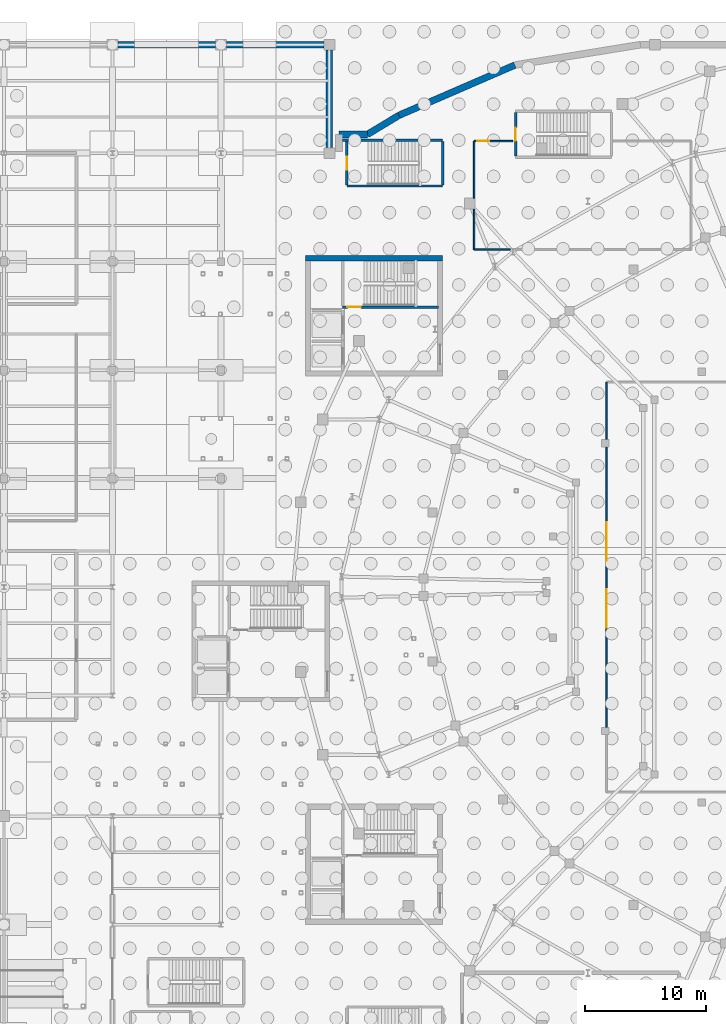
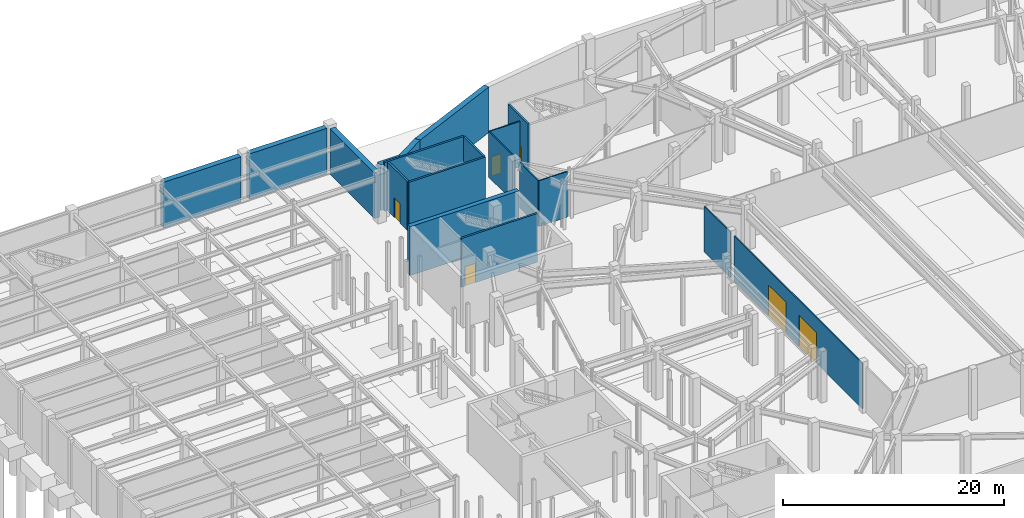
# One storey, part 45 of 56: 19 walls, 6 doors, 6 openings.
"""IFC4 building model written with IfcOpenShell, lengths in metres."""

from ifc_helpers import new_model, si_unit, direction, frame, frame_2d, origin, place, context, subcontext, project, spatial, rectangle, extrude, material, layer, layer_set, type_object, element, fill, save


model = new_model("IFC4")

# Units and contexts
model_context = context("Model", 3, precision=1e-05, world=origin(), true_north=direction((0.0, 1.0)))
body_context = subcontext(model_context, "Body", "Model", "MODEL_VIEW")
ifc_project = project(units=[si_unit("LENGTHUNIT", "METRE"), si_unit("AREAUNIT", "SQUARE_METRE"), si_unit("VOLUMEUNIT", "CUBIC_METRE"), si_unit("PLANEANGLEUNIT", "RADIAN"), si_unit("MASSUNIT", "GRAM", prefix="KILO")], contexts=[model_context])

# Site, building, storey
site_placement = place(None, origin())
site = spatial("IfcSite", under=ifc_project, at=site_placement, CompositionType="ELEMENT")
building_placement = place(site_placement, origin())
building = spatial("IfcBuilding", under=site, at=building_placement, Name="Glasvene Arena", CompositionType="ELEMENT")
storey_placement = place(building_placement, frame((0.0, 0.0, -5.39990234375)))
storey = spatial("IfcBuildingStorey", under=building, at=storey_placement, Name="B1", CompositionType="ELEMENT", Elevation=-5.39990234375)

# Wall
ifc_material_1 = material(Name="Concrete C40/50", Category="concrete")
ifc_layer_1 = layer(ifc_material_1, 0.449951171875)
ifc_layer_set_1 = layer_set([ifc_layer_1], Name="Concrete C40/50")
wall_type_1 = type_object("IfcWallType", Name="WL-CORE-450", PredefinedType="SHEAR", material=ifc_layer_set_1)
wall_1_placement = place(storey_placement, frame((43.0, 100.27490234375, 0.0), z_axis=(0.0, 0.0, 1.0), x_axis=(1.0, 0.0, 0.0)))
element("IfcWall", 1, at=wall_1_placement, inside=storey, type_object=wall_type_1, Name="Core C1 North-West shear wall N B1", PredefinedType="SHEAR", context=body_context, shape_type="SweptSolid", body=[
    extrude(rectangle(XDim=11.39990234375, YDim=0.449951171875, at=frame_2d((5.699951171875, 0.0))), origin(), (0.0, 0.0, 1.0), 5.39990234375),
])

# Wall, openings, doors
ifc_material_2 = material(Name="Lightweight gypsum metal-stud partition")
ifc_layer_2 = layer(ifc_material_2, 0.1201171875)
ifc_layer_set_2 = layer_set([ifc_layer_2], Name="Lightweight gypsum metal-stud partition")
wall_type_2 = type_object("IfcWallType", Name="WL-PART-120", PredefinedType="PARTITIONING", material=ifc_layer_set_2)
wall_2_placement = place(storey_placement, frame((68.0, 61.386962890625, 0.0), z_axis=(0.0, 0.0, 1.0), x_axis=(0.0, 1.0, 0.0)))
wall_2 = element("IfcWall", 2, at=wall_2_placement, inside=storey, type_object=wall_type_2, Name="Interior partition wall IW-B1-0007 (Event Floor Marshalling Hall)", PredefinedType="PARTITIONING", context=body_context, shape_type="SweptSolid", body=[
    extrude(rectangle(XDim=23.22607421875, YDim=0.1201171875, at=frame_2d((11.613037109375, 0.0))), origin(), (0.0, 0.0, 1.0), 5.039794921875),
])
opening_1_placement = place(wall_2_placement, frame((13.802978515625, 0.0, 0.0)))
opening_1 = element("IfcOpeningElement", 3, at=opening_1_placement, cuts=wall_2, Name="Opening D-11", PredefinedType="OPENING", context=body_context, shape_type="SweptSolid", body=[
    extrude(rectangle(XDim=3.199951171875, YDim=3.39990234375, at=frame_2d((1.60009765625, 1.699951171875))), frame((0.0, 0.070068359375, 0.0), z_axis=(0.0, -1.0, 0.0), x_axis=(1.0, 0.0, 0.0)), (0.0, 0.0, 1.0), 0.14013671875),
])
opening_2_placement = place(wall_2_placement, frame((8.2451171875, 0.0, 0.0)))
opening_2 = element("IfcOpeningElement", 4, at=opening_2_placement, cuts=wall_2, Name="Opening D-11", PredefinedType="OPENING", context=body_context, shape_type="SweptSolid", body=[
    extrude(rectangle(XDim=3.199951171875, YDim=3.39990234375, at=frame_2d((1.60009765625, 1.699951171875))), frame((0.0, 0.070068359375, 0.0), z_axis=(0.0, -1.0, 0.0), x_axis=(1.0, 0.0, 0.0)), (0.0, 0.0, 1.0), 0.14013671875),
])
ifc_material_3 = material(Name="Galvanised acoustic steel shutter", Category="steel")
door_type_1 = type_object("IfcDoorType", Name="DR-MARSH-3200", OperationType="ROLLINGUP", PredefinedType="GATE", material=ifc_material_3)
door_1_placement = place(opening_1_placement, origin())
door_1 = element("IfcDoor", 5, at=door_1_placement, inside=storey, type_object=door_type_1, Name="Interior door DR-MARSH-3200 (Event Floor Marshalling Hall)", OperationType="ROLLINGUP", OverallHeight=3.39990234375, OverallWidth=3.199951171875, PredefinedType="GATE", context=body_context, shape_type="SweptSolid", body=[
    extrude(rectangle(XDim=3.199951171875, YDim=3.39990234375, at=frame_2d((1.60009765625, 1.699951171875))), frame((0.0, 0.02490234375, 0.0), z_axis=(0.0, -1.0, 0.0), x_axis=(1.0, 0.0, 0.0)), (0.0, 0.0, 1.0), 0.050048828125),
])
fill(opening_1, door_1)
door_2_placement = place(opening_2_placement, origin())
door_2 = element("IfcDoor", 6, at=door_2_placement, inside=storey, type_object=door_type_1, Name="Interior door DR-MARSH-3200 (Event Floor Marshalling Hall)", OperationType="ROLLINGUP", OverallHeight=3.39990234375, OverallWidth=3.199951171875, PredefinedType="GATE", context=body_context, shape_type="SweptSolid", body=[
    extrude(rectangle(XDim=3.199951171875, YDim=3.39990234375, at=frame_2d((1.60009765625, 1.699951171875))), frame((0.0, 0.02490234375, 0.0), z_axis=(0.0, -1.0, 0.0), x_axis=(1.0, 0.0, 0.0)), (0.0, 0.0, 1.0), 0.050048828125),
])
fill(opening_2, door_2)

# Walls
wall_3_placement = place(storey_placement, frame((68.0, 85.276611328125, 0.0), z_axis=(0.0, 0.0, 1.0), x_axis=(0.0, 1.0, 0.0)))
element("IfcWall", 7, at=wall_3_placement, inside=storey, type_object=wall_type_2, Name="Interior partition wall IW-B1-0008 (Event Floor Marshalling Hall)", PredefinedType="PARTITIONING", context=body_context, shape_type="SweptSolid", body=[
    extrude(rectangle(XDim=4.723388671875, YDim=0.1201171875, at=frame_2d((2.36181640625, 0.0))), origin(), (0.0, 0.0, 1.0), 5.039794921875),
])
wall_4_placement = place(storey_placement, frame((59.9951171875, 101.0, 0.0), z_axis=(0.0, 0.0, 1.0), x_axis=(-1.0, 0.0, 0.0)))
element("IfcWall", 8, at=wall_4_placement, inside=storey, type_object=wall_type_2, Name="Interior partition wall IW-B1-0028 (Match Officials Changing Suite)", PredefinedType="PARTITIONING", context=body_context, shape_type="SweptSolid", body=[
    extrude(rectangle(XDim=2.9951171875, YDim=0.1201171875, at=frame_2d((1.49755859375, 0.0))), origin(), (0.0, 0.0, 1.0), 5.039794921875),
])
wall_5_placement = place(storey_placement, frame((57.0, 101.0, 0.0), z_axis=(0.0, 0.0, 1.0), x_axis=(0.0, 1.0, 0.0)))
element("IfcWall", 9, at=wall_5_placement, inside=storey, type_object=wall_type_2, Name="Interior partition wall IW-B1-0029 (Match Officials Changing Suite)", PredefinedType="PARTITIONING", context=body_context, shape_type="SweptSolid", body=[
    extrude(rectangle(XDim=3.36572265625, YDim=0.1201171875, at=frame_2d((1.682861328125, 0.0))), origin(), (0.0, 0.0, 1.0), 5.039794921875),
])
wall_6_placement = place(storey_placement, frame((57.0, 105.273681640625, 0.0), z_axis=(0.0, 0.0, 1.0), x_axis=(0.0, 1.0, 0.0)))
element("IfcWall", 10, at=wall_6_placement, inside=storey, type_object=wall_type_2, Name="Interior partition wall IW-B1-0030 (Match Officials Changing Suite)", PredefinedType="PARTITIONING", context=body_context, shape_type="SweptSolid", body=[
    extrude(rectangle(XDim=4.726318359375, YDim=0.1201171875, at=frame_2d((2.36328125, 0.0))), origin(), (0.0, 0.0, 1.0), 5.039794921875),
])

# Wall, opening, door
wall_7_placement = place(storey_placement, frame((57.0, 110.0, 0.0), z_axis=(0.0, 0.0, 1.0), x_axis=(1.0, 0.0, 0.0)))
wall_7 = element("IfcWall", 11, at=wall_7_placement, inside=storey, type_object=wall_type_2, Name="Interior partition wall IW-B1-0031 (Match Officials Changing Suite)", PredefinedType="PARTITIONING", context=body_context, shape_type="SweptSolid", body=[
    extrude(rectangle(XDim=3.199951171875, YDim=0.1201171875, at=frame_2d((1.60009765625, 0.0))), origin(), (0.0, 0.0, 1.0), 5.039794921875),
])
opening_3_placement = place(wall_7_placement, frame((0.25, 0.0, 0.0)))
opening_3 = element("IfcOpeningElement", 12, at=opening_3_placement, cuts=wall_7, Name="Opening D-06", PredefinedType="OPENING", context=body_context, shape_type="SweptSolid", body=[
    extrude(rectangle(XDim=1.0, YDim=2.14990234375, at=frame_2d((0.5, 1.074951171875))), frame((0.0, 0.070068359375, 0.0), z_axis=(0.0, -1.0, 0.0), x_axis=(1.0, 0.0, 0.0)), (0.0, 0.0, 1.0), 0.14013671875),
])
ifc_material_4 = material(Name="European oak fire-resisting timber", Category="wood")
door_type_2 = type_object("IfcDoorType", Name="DR-FD30-1000", OperationType="NOTDEFINED", PredefinedType="DOOR", material=ifc_material_4)
door_3_placement = place(opening_3_placement, origin())
door_3 = element("IfcDoor", 13, at=door_3_placement, inside=storey, type_object=door_type_2, Name="Interior door DR-FD30-1000 (Match Officials Changing Suite)", OperationType="SINGLE_SWING_RIGHT", OverallHeight=2.14990234375, OverallWidth=1.0, PredefinedType="DOOR", context=body_context, shape_type="SweptSolid", body=[
    extrude(rectangle(XDim=1.0, YDim=2.14990234375, at=frame_2d((0.5, 1.074951171875))), frame((0.0, 0.02490234375, 0.0), z_axis=(0.0, -1.0, 0.0), x_axis=(1.0, 0.0, 0.0)), (0.0, 0.0, 1.0), 0.050048828125),
])
fill(opening_3, door_3)

# Walls
ifc_layer_3 = layer(ifc_material_1, 0.550048828125)
ifc_layer_set_3 = layer_set([ifc_layer_3], Name="Concrete C40/50")
wall_type_3 = type_object("IfcWallType", Name="WL-RET-550", PredefinedType="SOLIDWALL", material=ifc_layer_set_3)
for number, where, z_axis, x_axis, name in (
    (14, (27.451904296875, 118.0, 0.0), (0.0, 0.0, 1.0), (1.0, 0.0, 0.0), "Basement retaining wall B1-011"),
    (15, (36.451904296875, 118.0, 0.0), (0.0, 0.0, 1.0), (1.0, 0.0, 0.0), "Basement retaining wall B1-012"),
    (16, (45.0, 117.548095703125, 0.0), (0.0, 0.0, 1.0), (0.0, -1.0, 0.0), "Basement retaining wall B1-013"),
):
    element("IfcWall", number, at=place(storey_placement, frame(where, z_axis=z_axis, x_axis=x_axis)), inside=storey, type_object=wall_type_3, Name=name, PredefinedType="SOLIDWALL", context=body_context, shape_type="SweptSolid", body=[
        extrude(rectangle(XDim=8.09619140625, YDim=0.550048828125, at=frame_2d((4.048095703125, 0.0))), origin(), (0.0, 0.0, 1.0), 5.039794921875),
    ])
wall_8_placement = place(storey_placement, frame((45.800048828125, 110.550048828125, 0.0), z_axis=(0.0, 0.0, 1.0), x_axis=(1.0, 0.0, 0.0)))
element("IfcWall", 17, at=wall_8_placement, inside=storey, type_object=wall_type_3, Name="Basement retaining wall B1-015", PredefinedType="SOLIDWALL", context=body_context, shape_type="SweptSolid", body=[
    extrude(rectangle(XDim=2.339599609375, YDim=0.550048828125, at=frame_2d((1.169921875, 0.0))), origin(), (0.0, 0.0, 1.0), 5.039794921875),
])
wall_9_placement = place(storey_placement, frame((48.1396484375, 110.550048828125, 0.0), z_axis=(0.0, 0.0, 1.0), x_axis=(0.855818752803, 0.517275808782, 0.0)))
element("IfcWall", 18, at=wall_9_placement, inside=storey, type_object=wall_type_3, Name="Basement retaining wall B1-016", PredefinedType="SOLIDWALL", context=body_context, shape_type="SweptSolid", body=[
    extrude(rectangle(XDim=3.070556640625, YDim=0.550048828125, at=frame_2d((1.53515625, 0.0))), origin(), (0.0, 0.0, 1.0), 5.039794921875),
])
wall_10_placement = place(storey_placement, frame((50.767578125, 112.138427734375, 0.0), z_axis=(0.0, 0.0, 1.0), x_axis=(0.917436013805, 0.397883350461, 0.0)))
element("IfcWall", 19, at=wall_10_placement, inside=storey, type_object=wall_type_3, Name="Basement retaining wall B1-017", PredefinedType="SOLIDWALL", context=body_context, shape_type="SweptSolid", body=[
    extrude(rectangle(XDim=10.478515625, YDim=0.550048828125, at=frame_2d((5.2392578125, 0.0))), origin(), (0.0, 0.0, 1.0), 5.039794921875),
])

# Wall, opening, door
ifc_layer_4 = layer(ifc_material_1, 0.199951171875)
ifc_layer_set_4 = layer_set([ifc_layer_4], Name="Concrete C40/50")
wall_type_4 = type_object("IfcWallType", Name="WL-SHAFT-200", PredefinedType="SHEAR", material=ifc_layer_set_4)
wall_11_placement = place(storey_placement, frame((46.10009765625, 96.22998046875, 0.0), z_axis=(0.0, 0.0, 1.0), x_axis=(1.0, 0.0, 0.0)))
wall_11 = element("IfcWall", 20, at=wall_11_placement, inside=storey, type_object=wall_type_4, Name="Escape stair shaft wall ST-01 B1 S", PredefinedType="SHEAR", context=body_context, shape_type="SweptSolid", body=[
    extrude(rectangle(XDim=7.949951171875, YDim=0.199951171875, at=frame_2d((3.97509765625, 0.0))), origin(), (0.0, 0.0, 1.0), 5.39990234375),
])
opening_4_placement = place(wall_11_placement, frame((0.39990234375, 0.0, 0.0)))
opening_4 = element("IfcOpeningElement", 21, at=opening_4_placement, cuts=wall_11, Name="Opening D-04", PredefinedType="OPENING", context=body_context, shape_type="SweptSolid", body=[
    extrude(rectangle(XDim=1.10009765625, YDim=2.14990234375, at=frame_2d((0.550048828125, 1.074951171875))), frame((0.0, 0.10986328125, 0.0), z_axis=(0.0, -1.0, 0.0), x_axis=(1.0, 0.0, 0.0)), (0.0, 0.0, 1.0), 0.219970703125),
])
ifc_material_5 = material(Name="Painted fire-resisting steel", Category="steel")
door_type_3 = type_object("IfcDoorType", Name="DR-FD60-1100", OperationType="NOTDEFINED", PredefinedType="DOOR", material=ifc_material_5)
door_4_placement = place(opening_4_placement, frame((1.10009765625, 0.0, 0.0), z_axis=(0.0, 0.0, 1.0), x_axis=(-1.0, 0.0, 0.0)))
door_4 = element("IfcDoor", 22, at=door_4_placement, inside=storey, type_object=door_type_3, Name="Protected escape stair door ST-01 B1", OperationType="SINGLE_SWING_RIGHT", OverallHeight=2.14990234375, OverallWidth=1.10009765625, PredefinedType="DOOR", context=body_context, shape_type="SweptSolid", body=[
    extrude(rectangle(XDim=1.10009765625, YDim=2.14990234375, at=frame_2d((0.550048828125, 1.074951171875))), frame((0.0, 0.02490234375, 0.0), z_axis=(0.0, -1.0, 0.0), x_axis=(1.0, 0.0, 0.0)), (0.0, 0.0, 1.0), 0.050048828125),
])
fill(opening_4, door_4)

wall_12_placement = place(storey_placement, frame((60.449951171875, 108.781982421875, 0.0), z_axis=(0.0, 0.0, 1.0), x_axis=(0.0, 1.0, 0.0)))
wall_12 = element("IfcWall", 23, at=wall_12_placement, inside=storey, type_object=wall_type_4, Name="Escape stair shaft wall ST-10 B1 W", PredefinedType="SHEAR", context=body_context, shape_type="SweptSolid", body=[
    extrude(rectangle(XDim=3.5859375, YDim=0.199951171875, at=frame_2d((1.79296875, 0.0))), origin(), (0.0, 0.0, 1.0), 5.39990234375),
])
opening_5_placement = place(wall_12_placement, frame((1.242919921875, 0.0, 0.0)))
opening_5 = element("IfcOpeningElement", 24, at=opening_5_placement, cuts=wall_12, Name="Opening D-04", PredefinedType="OPENING", context=body_context, shape_type="SweptSolid", body=[
    extrude(rectangle(XDim=1.10009765625, YDim=2.14990234375, at=frame_2d((0.550048828125, 1.074951171875))), frame((0.0, 0.10986328125, 0.0), z_axis=(0.0, -1.0, 0.0), x_axis=(1.0, 0.0, 0.0)), (0.0, 0.0, 1.0), 0.219970703125),
])
door_5_placement = place(opening_5_placement, frame((1.10009765625, 0.0, 0.0), z_axis=(0.0, 0.0, 1.0), x_axis=(-1.0, 0.0, 0.0)))
door_5 = element("IfcDoor", 25, at=door_5_placement, inside=storey, type_object=door_type_3, Name="Protected escape stair door ST-10 B1", OperationType="SINGLE_SWING_RIGHT", OverallHeight=2.14990234375, OverallWidth=1.10009765625, PredefinedType="DOOR", context=body_context, shape_type="SweptSolid", body=[
    extrude(rectangle(XDim=1.10009765625, YDim=2.14990234375, at=frame_2d((0.550048828125, 1.074951171875))), frame((0.0, 0.02490234375, 0.0), z_axis=(0.0, -1.0, 0.0), x_axis=(1.0, 0.0, 0.0)), (0.0, 0.0, 1.0), 0.050048828125),
])
fill(opening_5, door_5)

# Wall
wall_13_placement = place(storey_placement, frame((46.449951171875, 106.280029296875, 0.0), z_axis=(0.0, 0.0, 1.0), x_axis=(1.0, 0.0, 0.0)))
element("IfcWall", 26, at=wall_13_placement, inside=storey, type_object=wall_type_4, Name="Escape stair shaft wall ST-12 B1 S", PredefinedType="SHEAR", context=body_context, shape_type="SweptSolid", body=[
    extrude(rectangle(XDim=7.949951171875, YDim=0.199951171875, at=frame_2d((3.97509765625, 0.0))), origin(), (0.0, 0.0, 1.0), 5.39990234375),
])

# Wall, opening, door
wall_14_placement = place(storey_placement, frame((46.449951171875, 106.382080078125, 0.0), z_axis=(0.0, 0.0, 1.0), x_axis=(0.0, 1.0, 0.0)))
wall_14 = element("IfcWall", 27, at=wall_14_placement, inside=storey, type_object=wall_type_4, Name="Escape stair shaft wall ST-12 B1 W", PredefinedType="SHEAR", context=body_context, shape_type="SweptSolid", body=[
    extrude(rectangle(XDim=3.5859375, YDim=0.199951171875, at=frame_2d((1.79296875, 0.0))), origin(), (0.0, 0.0, 1.0), 5.39990234375),
])
opening_6_placement = place(wall_14_placement, frame((1.242919921875, 0.0, 0.0)))
opening_6 = element("IfcOpeningElement", 28, at=opening_6_placement, cuts=wall_14, Name="Opening D-04", PredefinedType="OPENING", context=body_context, shape_type="SweptSolid", body=[
    extrude(rectangle(XDim=1.10009765625, YDim=2.14990234375, at=frame_2d((0.550048828125, 1.074951171875))), frame((0.0, 0.10986328125, 0.0), z_axis=(0.0, -1.0, 0.0), x_axis=(1.0, 0.0, 0.0)), (0.0, 0.0, 1.0), 0.219970703125),
])
door_6_placement = place(opening_6_placement, frame((1.10009765625, 0.0, 0.0), z_axis=(0.0, 0.0, 1.0), x_axis=(-1.0, 0.0, 0.0)))
door_6 = element("IfcDoor", 29, at=door_6_placement, inside=storey, type_object=door_type_3, Name="Protected escape stair door ST-12 B1", OperationType="SINGLE_SWING_RIGHT", OverallHeight=2.14990234375, OverallWidth=1.10009765625, PredefinedType="DOOR", context=body_context, shape_type="SweptSolid", body=[
    extrude(rectangle(XDim=1.10009765625, YDim=2.14990234375, at=frame_2d((0.550048828125, 1.074951171875))), frame((0.0, 0.02490234375, 0.0), z_axis=(0.0, -1.0, 0.0), x_axis=(1.0, 0.0, 0.0)), (0.0, 0.0, 1.0), 0.050048828125),
])
fill(opening_6, door_6)

# Walls
wall_15_placement = place(storey_placement, frame((54.39990234375, 106.382080078125, 0.0), z_axis=(0.0, 0.0, 1.0), x_axis=(0.0, 1.0, 0.0)))
element("IfcWall", 30, at=wall_15_placement, inside=storey, type_object=wall_type_4, Name="Escape stair shaft wall ST-12 B1 E", PredefinedType="SHEAR", context=body_context, shape_type="SweptSolid", body=[
    extrude(rectangle(XDim=3.5859375, YDim=0.199951171875, at=frame_2d((1.79296875, 0.0))), origin(), (0.0, 0.0, 1.0), 5.39990234375),
])
wall_16_placement = place(storey_placement, frame((46.076904296875, 110.070068359375, 0.0), z_axis=(0.0, 0.0, 1.0), x_axis=(1.0, 0.0, 0.0)))
element("IfcWall", 31, at=wall_16_placement, inside=storey, type_object=wall_type_4, Name="Escape stair shaft wall ST-12 B1 N", PredefinedType="SHEAR", context=body_context, shape_type="SweptSolid", body=[
    extrude(rectangle(XDim=8.322998046875, YDim=0.199951171875, at=frame_2d((4.16162109375, 0.0))), origin(), (0.0, 0.0, 1.0), 5.39990234375),
])

save(model, "model.ifc")
